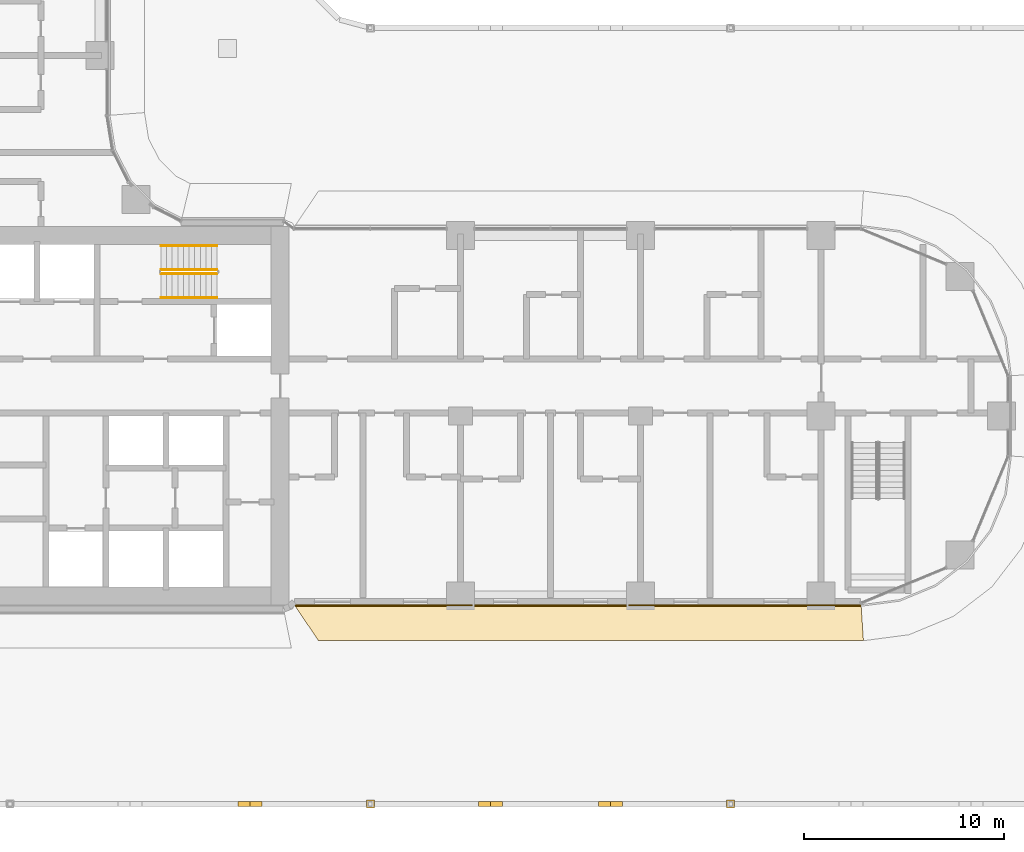
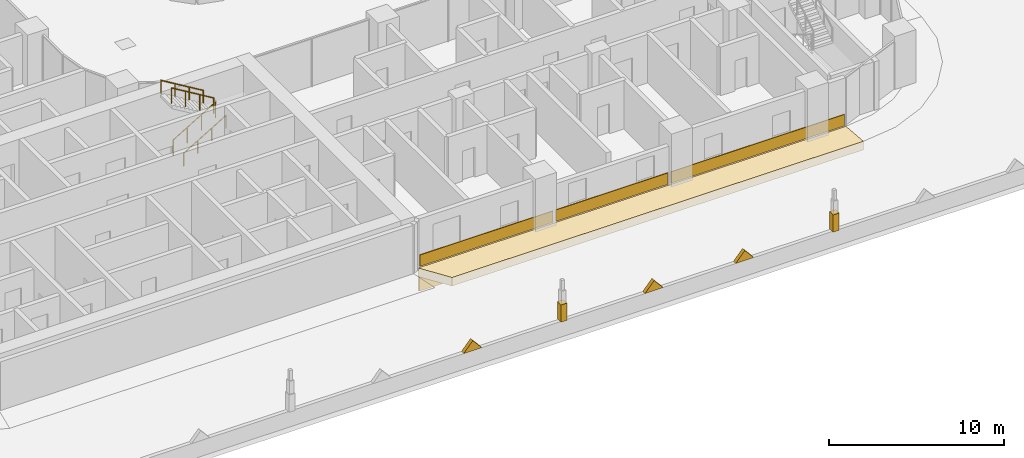
# One storey, part 38 of 51: 10 coverings, 4 railings.
"""IFC4 building model written with IfcOpenShell, lengths in metres."""

from ifc_helpers import new_model, si_unit, direction, frame, origin, origin_2d, place, context, subcontext, project, spatial, polyline, rectangle, circle, outline, extrude, material, layer, layer_set, type_object, element, save


model = new_model("IFC4")

# Units and contexts
model_context = context("Model", 3, precision=1e-05, world=origin(), true_north=direction((0.0, 1.0)))
body_context = subcontext(model_context, "Body", "Model", "MODEL_VIEW")
ifc_project = project(units=[si_unit("LENGTHUNIT", "METRE"), si_unit("AREAUNIT", "SQUARE_METRE"), si_unit("VOLUMEUNIT", "CUBIC_METRE"), si_unit("PLANEANGLEUNIT", "RADIAN"), si_unit("MASSUNIT", "GRAM", prefix="KILO")], contexts=[model_context])

# Site, building, storey
site_placement = place(None, origin())
site = spatial("IfcSite", under=ifc_project, at=site_placement, CompositionType="ELEMENT")
building_placement = place(site_placement, origin())
building = spatial("IfcBuilding", under=site, at=building_placement, Name="Ogive Portal Towers", CompositionType="ELEMENT")
storey_placement = place(building_placement, frame((0.0, 0.0, 33.5)))
storey = spatial("IfcBuildingStorey", under=building, at=storey_placement, Name="L06", CompositionType="ELEMENT", Elevation=33.5)

# Railings
ifc_material_1 = material(Name="Stainless steel balustrade", Category="steel")
railing_type_1 = type_object("IfcRailingType", Name="INT-GUARD", PredefinedType="GUARDRAIL", material=ifc_material_1)
railing_1_placement = place(storey_placement, frame((52.550048828125, 37.60009765625, 0.168212890625)))
element("IfcRailing", 1, at=railing_1_placement, inside=storey, type_object=railing_type_1, Name="L06 ST-A2 stair guard 1", PredefinedType="GUARDRAIL", context=body_context, shape_type="SweptSolid", body=[
    extrude(circle(Radius=0.02392578125, at=origin_2d()), frame((0.0, 0.0, 1.076171875), z_axis=(0.857242210791, 0.0, 0.514913383045), x_axis=(0.0, 1.0, 0.0)), (0.0, 0.0, 1.0), 3.266357421875),
    extrude(circle(Radius=0.02099609375, at=origin_2d()), origin(), (0.0, 0.0, 1.0), 1.052001953125),
    extrude(circle(Radius=0.02099609375, at=origin_2d()), frame((0.933349609375, 0.0, 0.560546875)), (0.0, 0.0, 1.0), 1.052001953125),
    extrude(circle(Radius=0.02099609375, at=origin_2d()), frame((1.86669921875, 0.0, 1.121337890625)), (0.0, 0.0, 1.0), 1.052001953125),
    extrude(circle(Radius=0.02099609375, at=origin_2d()), frame((2.800048828125, 0.0, 1.681884765625)), (0.0, 0.0, 1.0), 1.052001953125),
])
railing_2_placement = place(storey_placement, frame((55.35009765625, 37.800048828125, 2.01806640625)))
element("IfcRailing", 2, at=railing_2_placement, inside=storey, type_object=railing_type_1, Name="L06 ST-A2 stair guard 3", PredefinedType="GUARDRAIL", context=body_context, shape_type="SweptSolid", body=[
    extrude(circle(Radius=0.02392578125, at=origin_2d()), frame((0.0, 0.0, 1.076171875), z_axis=(-0.857242210791, 0.0, 0.514913383045), x_axis=(0.0, -1.0, 0.0)), (0.0, 0.0, 1.0), 3.266357421875),
    extrude(circle(Radius=0.02099609375, at=origin_2d()), origin(), (0.0, 0.0, 1.0), 1.052001953125),
    extrude(circle(Radius=0.02099609375, at=origin_2d()), frame((-0.933349609375, 0.0, 0.560546875)), (0.0, 0.0, 1.0), 1.052001953125),
    extrude(circle(Radius=0.02099609375, at=origin_2d()), frame((-1.86669921875, 0.0, 1.121337890625)), (0.0, 0.0, 1.0), 1.052001953125),
    extrude(circle(Radius=0.02099609375, at=origin_2d()), frame((-2.800048828125, 0.0, 1.681884765625)), (0.0, 0.0, 1.0), 1.052001953125),
])
ifc_material_2 = material(Name="Stainless steel handrail", Category="steel")
railing_type_2 = type_object("IfcRailingType", Name="INT-HANDRAIL", PredefinedType="HANDRAIL", material=ifc_material_2)
railing_3_placement = place(storey_placement, frame((52.550048828125, 36.39990234375, 0.168212890625)))
element("IfcRailing", 3, at=railing_3_placement, inside=storey, type_object=railing_type_2, Name="L06 ST-A2 stair handrail 1", PredefinedType="HANDRAIL", context=body_context, shape_type="SweptSolid", body=[
    extrude(circle(Radius=0.02392578125, at=origin_2d()), frame((0.0, 0.0, 0.8759765625), z_axis=(0.857242210791, 0.0, 0.514913383045), x_axis=(0.0, 1.0, 0.0)), (0.0, 0.0, 1.0), 3.266357421875),
    extrude(circle(Radius=0.02099609375, at=origin_2d()), origin(), (0.0, 0.0, 1.0), 0.851806640625),
    extrude(circle(Radius=0.02099609375, at=origin_2d()), frame((0.933349609375, 0.0, 0.560546875)), (0.0, 0.0, 1.0), 0.851806640625),
    extrude(circle(Radius=0.02099609375, at=origin_2d()), frame((1.86669921875, 0.0, 1.121337890625)), (0.0, 0.0, 1.0), 0.851806640625),
    extrude(circle(Radius=0.02099609375, at=origin_2d()), frame((2.800048828125, 0.0, 1.681884765625)), (0.0, 0.0, 1.0), 0.851806640625),
])
railing_4_placement = place(storey_placement, frame((55.35009765625, 39.0, 2.01806640625)))
element("IfcRailing", 4, at=railing_4_placement, inside=storey, type_object=railing_type_2, Name="L06 ST-A2 stair handrail 2", PredefinedType="HANDRAIL", context=body_context, shape_type="SweptSolid", body=[
    extrude(circle(Radius=0.02392578125, at=origin_2d()), frame((0.0, 0.0, 0.8759765625), z_axis=(-0.857242210791, 0.0, 0.514913383045), x_axis=(0.0, -1.0, 0.0)), (0.0, 0.0, 1.0), 3.266357421875),
    extrude(circle(Radius=0.02099609375, at=origin_2d()), origin(), (0.0, 0.0, 1.0), 0.851806640625),
    extrude(circle(Radius=0.02099609375, at=origin_2d()), frame((-0.933349609375, 0.0, 0.560546875)), (0.0, 0.0, 1.0), 0.851806640625),
    extrude(circle(Radius=0.02099609375, at=origin_2d()), frame((-1.86669921875, 0.0, 1.121337890625)), (0.0, 0.0, 1.0), 0.851806640625),
    extrude(circle(Radius=0.02099609375, at=origin_2d()), frame((-2.800048828125, 0.0, 1.681884765625)), (0.0, 0.0, 1.0), 0.851806640625),
])

# Coverings
ifc_material_3 = material(Name="Limestone cladding on lightweight block wall", Category="masonry")
ifc_layer_1 = layer(ifc_material_3, 0.300048828125)
ifc_layer_set_1 = layer_set([ifc_layer_1], Name="PARAPET GABLE STONE")
covering_type_1 = type_object("IfcCoveringType", Name="PARAPET GABLE STONE", PredefinedType="CLADDING", material=ifc_layer_set_1)
covering_1_placement = place(storey_placement, frame((56.4033203125, 11.0, 1.10009765625), z_axis=(0.0, -1.0, 0.0), x_axis=(1.0, 0.0, 0.0)))
element("IfcCovering", 5, at=covering_1_placement, inside=storey, type_object=covering_type_1, Name="PARAPET GABLE", PredefinedType="CLADDING", context=body_context, shape_type="SweptSolid", body=[
    extrude(outline(polyline([(0.0, 0.0), (1.199951171875, 0.0), (0.60009765625, 0.699951171875), (0.0, 0.0)])), origin(), (0.0, 0.0, -1.0), 0.25),
])
covering_2_placement = place(storey_placement, frame((68.396728515625, 11.0, 1.10009765625), z_axis=(0.0, -1.0, 0.0), x_axis=(1.0, 0.0, 0.0)))
element("IfcCovering", 6, at=covering_2_placement, inside=storey, type_object=covering_type_1, Name="PARAPET GABLE", PredefinedType="CLADDING", context=body_context, shape_type="SweptSolid", body=[
    extrude(outline(polyline([(0.0, 0.0), (1.199951171875, 0.0), (0.599853515625, 0.699951171875), (0.0, 0.0)])), origin(), (0.0, 0.0, -1.0), 0.25),
])
covering_3_placement = place(storey_placement, frame((74.393310546875, 11.0, 1.10009765625), z_axis=(0.0, -1.0, 0.0), x_axis=(1.0, 0.0, 0.0)))
element("IfcCovering", 7, at=covering_3_placement, inside=storey, type_object=covering_type_1, Name="PARAPET GABLE", PredefinedType="CLADDING", context=body_context, shape_type="SweptSolid", body=[
    extrude(outline(polyline([(0.0, 0.0), (1.2001953125, 0.0), (0.60009765625, 0.699951171875), (0.0, 0.0)])), origin(), (0.0, 0.0, -1.0), 0.25),
])
ifc_layer_2 = layer(ifc_material_3, 0.39990234375)
ifc_layer_set_2 = layer_set([ifc_layer_2], Name="PINNACLE SHAFT STONE")
covering_type_2 = type_object("IfcCoveringType", Name="PINNACLE SHAFT STONE", PredefinedType="CLADDING", material=ifc_layer_set_2)
for number, where, z_axis, x_axis, name in (
    (8, (63.0, 11.125, 1.10009765625), (0.0, 0.0, 1.0), (1.0, 0.0, 0.0), "PINNACLE"),
    (9, (80.990234375, 11.125, 1.10009765625), (0.0, 0.0, 1.0), (1.0, 0.0, 0.0), "PINNACLE"),
):
    element("IfcCovering", number, at=place(storey_placement, frame(where, z_axis=z_axis, x_axis=x_axis)), inside=storey, type_object=covering_type_2, Name=name, PredefinedType="CLADDING", context=body_context, shape_type="SweptSolid", body=[
        extrude(rectangle(XDim=0.39990234375, YDim=0.39990234375, at=origin_2d()), origin(), (0.0, 0.0, 1.0), 1.199951171875),
    ])
ifc_layer_3 = layer(ifc_material_3, 0.050048828125)
ifc_layer_set_3 = layer_set([ifc_layer_3], Name="SCREEN PERFORATED STONE")
covering_type_3 = type_object("IfcCoveringType", Name="SCREEN PERFORATED STONE", PredefinedType="CLADDING", material=ifc_layer_set_3)
covering_4_placement = place(storey_placement, frame((63.703369140625, 21.050048828125, 0.10009765625), z_axis=(0.0, 0.0, 1.0), x_axis=(1.0, 0.0, 0.0)))
element("IfcCovering", 10, at=covering_4_placement, inside=storey, type_object=covering_type_3, Name="Tracery screen", PredefinedType="CLADDING", context=body_context, shape_type="SweptSolid", body=[
    extrude(rectangle(XDim=8.793212890625, YDim=0.050048828125, at=origin_2d()), origin(), (0.0, 0.0, 1.0), 0.800048828125),
])
covering_5_placement = place(storey_placement, frame((72.0, 21.050048828125, 0.10009765625), z_axis=(0.0, 0.0, 1.0), x_axis=(1.0, 0.0, 0.0)))
element("IfcCovering", 11, at=covering_5_placement, inside=storey, type_object=covering_type_3, Name="Tracery screen", PredefinedType="CLADDING", context=body_context, shape_type="SweptSolid", body=[
    extrude(rectangle(XDim=7.39990234375, YDim=0.050048828125, at=origin_2d()), origin(), (0.0, 0.0, 1.0), 0.800048828125),
])
covering_6_placement = place(storey_placement, frame((81.64208984375, 21.050048828125, 0.10009765625), z_axis=(0.0, 0.0, 1.0), x_axis=(1.0, 0.0, 0.0)))
element("IfcCovering", 12, at=covering_6_placement, inside=storey, type_object=covering_type_3, Name="Tracery screen", PredefinedType="CLADDING", context=body_context, shape_type="SweptSolid", body=[
    extrude(rectangle(XDim=11.484130859375, YDim=0.050048828125, at=origin_2d()), origin(), (0.0, 0.0, 1.0), 0.800048828125),
])
ifc_layer_4 = layer(ifc_material_3, 0.080078125)
ifc_layer_set_4 = layer_set([ifc_layer_4], Name="STONE SPANDREL 80")
covering_type_4 = type_object("IfcCoveringType", Name="STONE SPANDREL 80", PredefinedType="CLADDING", material=ifc_layer_set_4)
covering_7_placement = place(storey_placement, frame((0.0, 0.0, -1.60009765625)))
element("IfcCovering", 13, at=covering_7_placement, inside=storey, type_object=covering_type_4, Name="Stone spandrel A1-F12", PredefinedType="CLADDING", context=body_context, shape_type="SweptSolid", body=[
    extrude(outline(polyline([(59.206787109375, 21.074951171875), (87.5, 21.074951171875), (87.505126953125, 20.9951171875), (59.26025390625, 20.9951171875), (59.206787109375, 21.074951171875)])), origin(), (0.0, 0.0, 1.0), 1.0),
])
ifc_layer_5 = layer(ifc_material_3, 0.60009765625)
ifc_layer_set_5 = layer_set([ifc_layer_5], Name="SUNSHADE LIP 600")
covering_type_5 = type_object("IfcCoveringType", Name="SUNSHADE LIP 600", PredefinedType="CLADDING", material=ifc_layer_set_5)
covering_8_placement = place(storey_placement, frame((0.0, 0.0, -0.60009765625)))
element("IfcCovering", 14, at=covering_8_placement, inside=storey, type_object=covering_type_5, Name="Sunshade lip A1-F12", PredefinedType="CLADDING", context=body_context, shape_type="SweptSolid", body=[
    extrude(outline(polyline([(59.206787109375, 21.074951171875), (87.5, 21.074951171875), (87.617919921875, 19.27490234375), (60.409423828125, 19.27490234375), (59.206787109375, 21.074951171875)])), origin(), (0.0, 0.0, 1.0), 0.60009765625),
])

save(model, "model.ifc")
